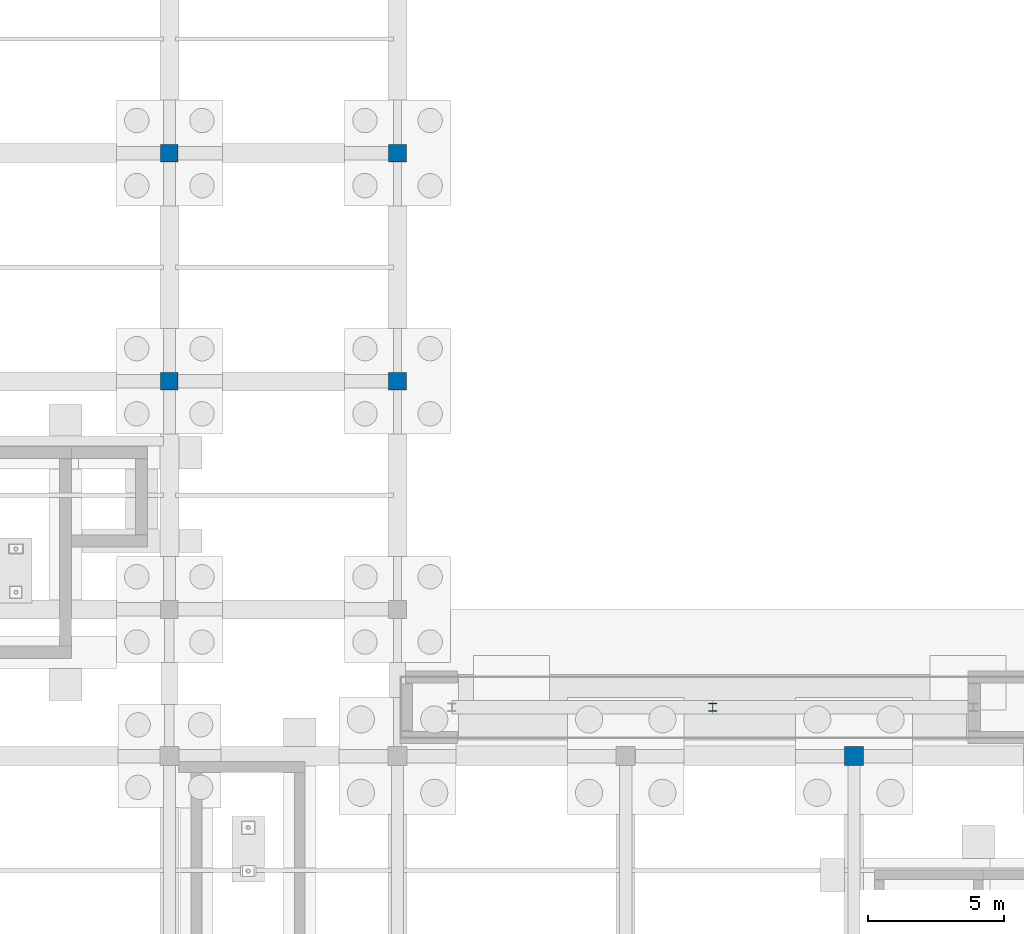
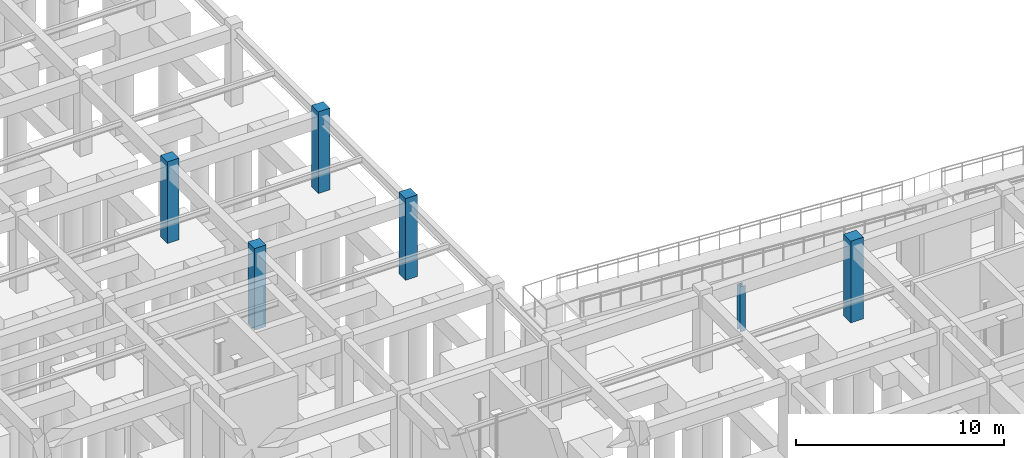
# One storey, part 17 of 49: 6 columns.
"""IFC4 building model written with IfcOpenShell, lengths in metres."""

import ifcopenshell
import ifcopenshell.guid

model = None  # the IFC model being written
_history = None  # IfcOwnerHistory: only IFC2X3 demands one
_inside = {}  # id of a spatial element -> (the spatial element, [elements in it])
_under = {}  # id of a project, library or spatial element -> (it, [spatial elements below it])
_declared = {}  # id of a project -> (the project, [libraries it declares])
_typed = {}  # id of a type object -> (the type object, [elements of that type])
_made_of = {}  # id of a material, layer set ... -> (it, [elements and type objects made of it])


def new_model(schema):
    """Start an empty IFC model of exactly this schema.

    Asked for "IFC4X3", IfcOpenShell would pick the latest addendum, in which some entities
    have other attributes; the version numbers below select the first issue.
    IFC2X3 requires an IfcOwnerHistory on every rooted entity: one is made here for all.
    """
    global model, _history
    if schema == "IFC4X3":
        model = ifcopenshell.file(schema_version=(4, 3, 0, 0))
    else:
        model = ifcopenshell.file(schema=schema)
    _inside.clear()
    _under.clear()
    _declared.clear()
    _typed.clear()
    _made_of.clear()
    _history = None
    if model.schema == "IFC2X3":
        org = make("IfcOrganization", Name="unknown")
        user = make(
            "IfcPersonAndOrganization",
            ThePerson=make("IfcPerson", FamilyName="unknown"),
            TheOrganization=org,
        )
        app = make(
            "IfcApplication",
            ApplicationDeveloper=org,
            Version="unknown",
            ApplicationFullName="unknown",
            ApplicationIdentifier="unknown",
        )
        _history = make(
            "IfcOwnerHistory",
            OwningUser=user,
            OwningApplication=app,
            ChangeAction="ADDED",
            CreationDate=0,
        )
    return model


def make(cls, **values):
    """One entity of the class cls with the attributes given. An attribute that is None is left unset."""
    return model.create_entity(
        cls, **{name: value for name, value in values.items() if value is not None}
    )


def rooted(cls, **values):
    """An entity with a GlobalId (a new one), such as an element, a storey or a relation."""
    return make(cls, GlobalId=ifcopenshell.guid.new(), OwnerHistory=_history, **values)


def si_unit(unit_type, name, prefix=None):
    """IfcSIUnit, for example si_unit("LENGTHUNIT", "METRE", prefix="MILLI")."""
    return make("IfcSIUnit", UnitType=unit_type, Prefix=prefix, Name=name)


def assignment(units):
    """IfcUnitAssignment: the units of a project."""
    return None if units is None else make("IfcUnitAssignment", Units=units)


def point(xyz):
    """IfcCartesianPoint."""
    return None if xyz is None else make("IfcCartesianPoint", Coordinates=xyz)


def direction(xyz):
    """IfcDirection."""
    return None if xyz is None else make("IfcDirection", DirectionRatios=xyz)


def frame(location, z_axis=None, x_axis=None):
    """IfcAxis2Placement3D, a coordinate frame: its origin and axes. An axis left out is left unset."""
    return make(
        "IfcAxis2Placement3D",
        Location=point(location),
        Axis=direction(z_axis),
        RefDirection=direction(x_axis),
    )


def frame_2d(location, x_axis=None):
    """IfcAxis2Placement2D, a coordinate frame in the plane: its origin and x axis."""
    return make(
        "IfcAxis2Placement2D", Location=point(location), RefDirection=direction(x_axis)
    )


def origin():
    """The frame at (0, 0, 0) with its axes left unset."""
    return frame((0.0, 0.0, 0.0))


def origin_2d():
    """The frame at (0, 0) in the plane with its x axis left unset."""
    return frame_2d((0.0, 0.0))


def place(relative_to, where):
    """IfcLocalPlacement: puts the frame where relative to a parent placement (None: the world)."""
    return make(
        "IfcLocalPlacement", PlacementRelTo=relative_to, RelativePlacement=where
    )


def context(
    kind, dimensions, precision=None, world=None, true_north=None, identifier=None
):
    """IfcGeometricRepresentationContext, for example the 3D "Model" context."""
    return make(
        "IfcGeometricRepresentationContext",
        ContextIdentifier=identifier,
        ContextType=kind,
        CoordinateSpaceDimension=dimensions,
        Precision=precision,
        WorldCoordinateSystem=world,
        TrueNorth=true_north,
    )


def subcontext(parent, identifier, kind, view, scale=None):
    """IfcGeometricRepresentationSubContext, for example "Body" below "Model"."""
    return make(
        "IfcGeometricRepresentationSubContext",
        ContextIdentifier=identifier,
        ContextType=kind,
        ParentContext=parent,
        TargetScale=scale,
        TargetView=view,
    )


def project(units=None, contexts=None):
    """IfcProject with its units and contexts."""
    return rooted(
        "IfcProject",
        Name="project",
        RepresentationContexts=contexts,
        UnitsInContext=assignment(units),
    )


def spatial(cls, under=None, at=None, **own):
    """A site, building, storey or space (cls), placed at a placement, below another one or the project."""
    s = rooted(cls, ObjectPlacement=at, **own)
    if under is not None:
        _under.setdefault(under.id(), (under, []))[1].append(s)
    return s


def profile(cls, at=None, kind="AREA", **sizes):
    """A parametric profile (cls). Its sizes go by their IFC names, for example OverallWidth=200.0."""
    return make(cls, ProfileType=kind, Position=at, **sizes)


def rectangle(**sizes):
    """IfcRectangleProfileDef."""
    return profile("IfcRectangleProfileDef", **sizes)


def i_section(**sizes):
    """IfcIShapeProfileDef."""
    return profile("IfcIShapeProfileDef", **sizes)


def extrude(swept, where, along, depth):
    """IfcExtrudedAreaSolid: the profile swept, set in the frame where, extruded along a direction by depth."""
    return make(
        "IfcExtrudedAreaSolid",
        SweptArea=swept,
        Position=where,
        ExtrudedDirection=direction(along),
        Depth=depth,
    )


def shape(context_of_items, identifier, shape_type, items):
    """IfcShapeRepresentation: the items that make up one representation, for example the "Body"."""
    return make(
        "IfcShapeRepresentation",
        ContextOfItems=context_of_items,
        RepresentationIdentifier=identifier,
        RepresentationType=shape_type,
        Items=items,
    )


def material(Name=None, Category=None):
    """IfcMaterial."""
    return make("IfcMaterial", Name=Name, Category=Category)


def material_profile(
    of_material, cross_section, Name=None, Category=None, Priority=None
):
    """IfcMaterialProfile: a cross section and its material."""
    return make(
        "IfcMaterialProfile",
        Name=Name,
        Material=of_material,
        Profile=cross_section,
        Priority=Priority,
        Category=Category,
    )


def profile_set(profiles, Name=None, composite=None):
    """IfcMaterialProfileSet."""
    return make(
        "IfcMaterialProfileSet",
        Name=Name,
        MaterialProfiles=profiles,
        CompositeProfile=composite,
    )


def made_of(thing, what):
    """Note that an element or type object is made of a material, layer set ...; save() writes the relation."""
    if what is not None:
        _made_of.setdefault(what.id(), (what, []))[1].append(thing)
    return thing


def type_object(cls, material=None, **own):
    """A type object (cls), such as IfcWallType, which elements share."""
    return made_of(rooted(cls, **own), material)


def element(
    cls,
    number,
    at=None,
    inside=None,
    cuts=None,
    type_object=None,
    material=None,
    context=None,
    identifier="Body",
    shape_type=None,
    held_by="IfcProductDefinitionShape",
    body=None,
    shapes=None,
    **own,
):
    """One element of the class cls, such as IfcWall. Its Tag is "e" and its number.

    at: its placement. inside: the storey or other place that contains it. cuts: it is an
    opening in that element (IfcRelVoidsElement). A single representation is given by context,
    identifier, shape_type and body (its items); several are given by shapes. held_by: the class
    of the entity that holds the representations. save() writes the other relations.
    """
    e = rooted(cls, Tag="e%d" % number, ObjectPlacement=at, **own)
    if body is not None:
        shapes = [shape(context, identifier, shape_type, body)]
    if shapes is not None:
        e.Representation = make(held_by, Representations=shapes)
    if inside is not None:
        _inside.setdefault(inside.id(), (inside, []))[1].append(e)
    if cuts is not None:
        rooted(
            "IfcRelVoidsElement", RelatingBuildingElement=cuts, RelatedOpeningElement=e
        )
    if type_object is not None:
        _typed.setdefault(type_object.id(), (type_object, []))[1].append(e)
    return made_of(e, material)


def aggregate(whole, parts):
    """IfcRelAggregates: a whole, such as a stair, and the parts it consists of."""
    return rooted("IfcRelAggregates", RelatingObject=whole, RelatedObjects=parts)


def save(model, path):
    """Write the relations noted so far, then the file.

    IfcRelAggregates (storeys below a building ...), IfcRelContainedInSpatialStructure (elements
    in a storey), IfcRelDefinesByType, IfcRelAssociatesMaterial and IfcRelDeclares: one each for
    every whole, place, type object, material and project.
    """
    for whole, parts in _under.values():
        aggregate(whole, parts)
    for where, things in _inside.values():
        rooted(
            "IfcRelContainedInSpatialStructure",
            RelatedElements=things,
            RelatingStructure=where,
        )
    for kind, things in _typed.values():
        rooted("IfcRelDefinesByType", RelatedObjects=things, RelatingType=kind)
    for what, things in _made_of.values():
        rooted("IfcRelAssociatesMaterial", RelatedObjects=things, RelatingMaterial=what)
    for by, libraries in _declared.values():
        rooted("IfcRelDeclares", RelatingContext=by, RelatedDefinitions=libraries)
    model.write(path)


model = new_model("IFC4")

# Units and contexts
model_context = context("Model", 3, precision=1e-05, world=origin(), true_north=direction((0.0, 1.0)))
body_context = subcontext(model_context, "Body", "Model", "MODEL_VIEW")
ifc_project = project(units=[si_unit("LENGTHUNIT", "METRE"), si_unit("AREAUNIT", "SQUARE_METRE"), si_unit("VOLUMEUNIT", "CUBIC_METRE"), si_unit("PLANEANGLEUNIT", "RADIAN"), si_unit("MASSUNIT", "GRAM", prefix="KILO")], contexts=[model_context])

# Site, building, storey
site_placement = place(None, origin())
site = spatial("IfcSite", under=ifc_project, at=site_placement, CompositionType="ELEMENT")
building_placement = place(site_placement, origin())
building = spatial("IfcBuilding", under=site, at=building_placement, Name="Krzemoval Escarpment Law Courts", CompositionType="ELEMENT")
storey_placement = place(building_placement, frame((0.0, 0.0, -4.800048828125)))
storey = spatial("IfcBuildingStorey", under=building, at=storey_placement, Name="B1", CompositionType="ELEMENT", Elevation=-4.800048828125)

# Columns
ifc_material_1 = material(Name="Concrete C40/50", Category="concrete")
ifc_material_profile_1 = material_profile(ifc_material_1, rectangle(XDim=0.64990234375, YDim=0.64990234375, at=origin_2d()), Name="RC 650x650")
ifc_profile_set_1 = profile_set([ifc_material_profile_1], Name="Concrete C40/50")
column_type_1 = type_object("IfcColumnType", Name="COL-RC-650", PredefinedType="COLUMN", material=ifc_profile_set_1)
for number, where, z_axis, x_axis, name in (
    (1, (33.60009765625, 49.199951171875, 0.0), (0.0, 0.0, 1.0), (1.0, 0.0, 0.0), "Column FC-B1-0067"),
    (2, (33.60009765625, 57.60009765625, 0.0), (0.0, 0.0, 1.0), (1.0, 0.0, 0.0), "Column FC-B1-0068"),
    (3, (42.0, 49.199951171875, 0.0), (0.0, 0.0, 1.0), (1.0, 0.0, 0.0), "Column FC-B1-0084"),
    (4, (42.0, 57.60009765625, 0.0), (0.0, 0.0, 1.0), (1.0, 0.0, 0.0), "Column FC-B1-0085"),
):
    element("IfcColumn", number, at=place(storey_placement, frame(where, z_axis=z_axis, x_axis=x_axis)), inside=storey, type_object=column_type_1, Name=name, PredefinedType="COLUMN", context=body_context, shape_type="SweptSolid", body=[
        extrude(rectangle(XDim=0.64990234375, YDim=0.64990234375, at=origin_2d()), origin(), (0.0, 0.0, 1.0), 4.800048828125),
    ])
ifc_material_2 = material(Name="Concrete C40/50", Category="concrete")
ifc_material_profile_2 = material_profile(ifc_material_2, rectangle(XDim=0.699951171875, YDim=0.699951171875, at=origin_2d()), Name="RC 700x700")
ifc_profile_set_2 = profile_set([ifc_material_profile_2], Name="Concrete C40/50")
column_type_2 = type_object("IfcColumnType", Name="COL-RC-700", PredefinedType="COLUMN", material=ifc_profile_set_2)
column_1_placement = place(storey_placement, frame((58.800048828125, 35.39990234375, 0.0), z_axis=(0.0, 0.0, 1.0), x_axis=(1.0, 0.0, 0.0)))
element("IfcColumn", 5, at=column_1_placement, inside=storey, type_object=column_type_2, Name="Column FC-B1-0107", PredefinedType="COLUMN", context=body_context, shape_type="SweptSolid", body=[
    extrude(rectangle(XDim=0.699951171875, YDim=0.699951171875, at=origin_2d()), origin(), (0.0, 0.0, 1.0), 4.800048828125),
])
ifc_material_3 = material(Name="Steel S355", Category="steel")
ifc_material_profile_3 = material_profile(ifc_material_3, i_section(OverallWidth=0.300048828125, OverallDepth=0.300048828125, WebThickness=0.010986328125, FlangeThickness=0.01904296875, at=origin_2d()), Name="HEB 300")
ifc_profile_set_3 = profile_set([ifc_material_profile_3], Name="Steel S355")
column_type_3 = type_object("IfcColumnType", Name="COL-S355-HEB300", PredefinedType="COLUMN", material=ifc_profile_set_3)
column_2_placement = place(storey_placement, frame((53.60009765625, 37.199951171875, 0.0), z_axis=(0.0, 0.0, 1.0), x_axis=(1.0, 0.0, 0.0)))
element("IfcColumn", 6, at=column_2_placement, inside=storey, type_object=column_type_3, Name="Ramp Support Column RC-RMPM-01", PredefinedType="COLUMN", context=body_context, shape_type="SweptSolid", body=[
    extrude(i_section(OverallWidth=0.300048828125, OverallDepth=0.300048828125, WebThickness=0.010986328125, FlangeThickness=0.01904296875, at=origin_2d()), origin(), (0.0, 0.0, 1.0), 2.650146484375),
])

save(model, "model.ifc")
